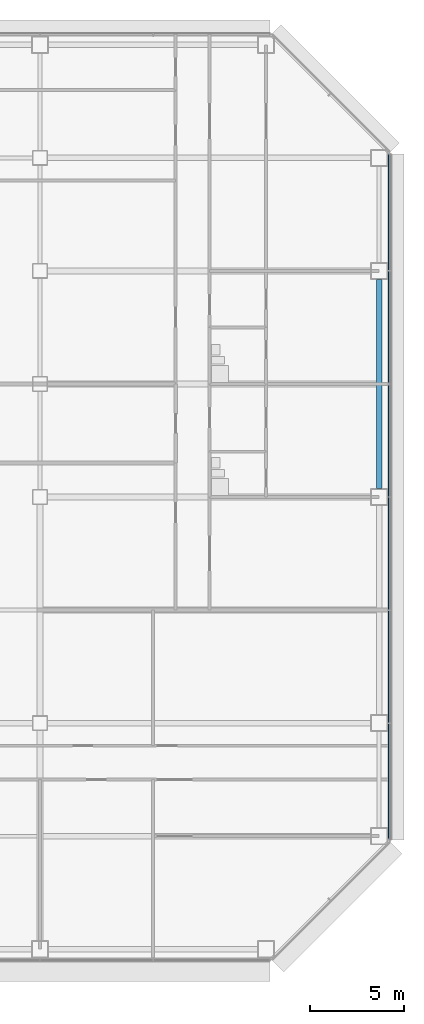
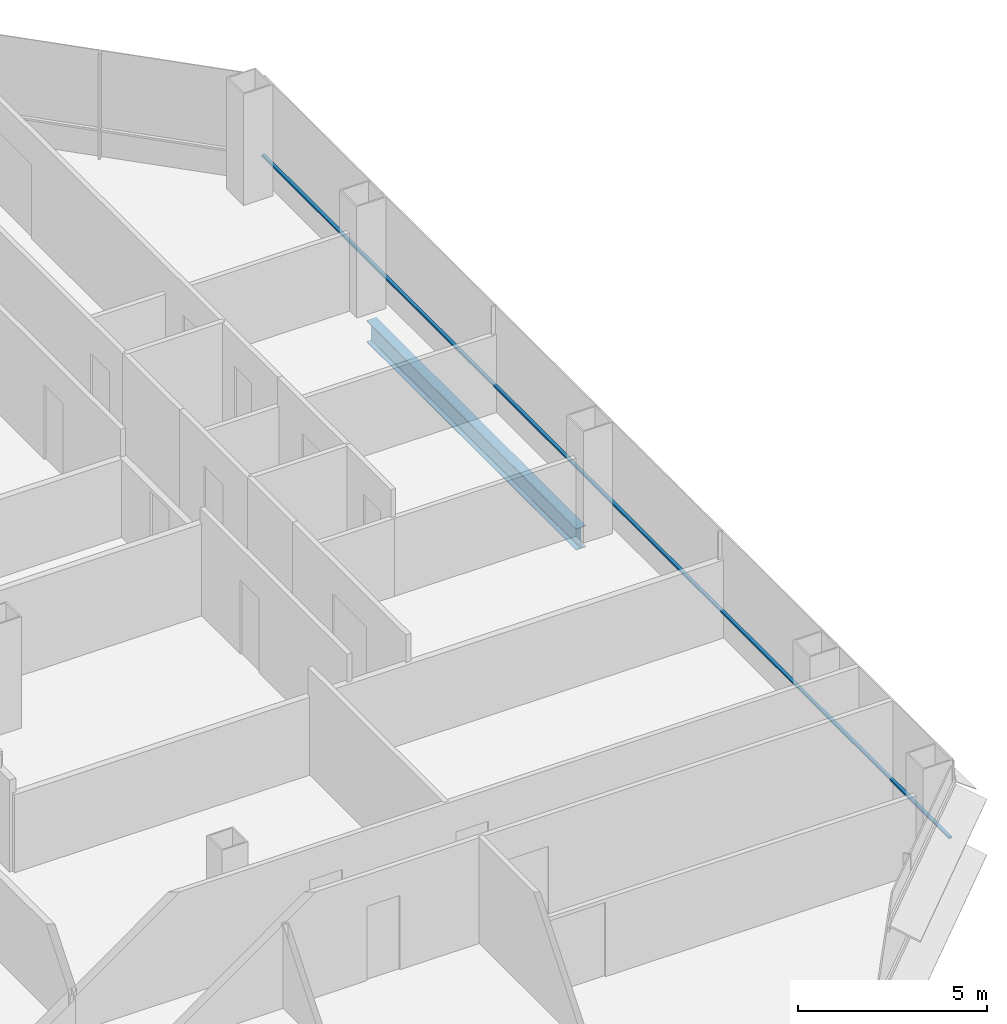
# One storey, part 17 of 26: 1 beam, 1 member, 1 element without a shape of its own.
"""IFC4 building model written with IfcOpenShell, lengths in metres."""

from ifc_helpers import new_model, si_unit, direction, frame, origin, origin_2d, place, context, subcontext, project, spatial, rectangle, i_section, extrude, material, material_profile, profile_set, type_object, element, aggregate, save


model = new_model("IFC4")

# Units and contexts
model_context = context("Model", 3, precision=1e-05, world=origin(), true_north=direction((0.0, 1.0)))
body_context = subcontext(model_context, "Body", "Model", "MODEL_VIEW")
ifc_project = project(units=[si_unit("LENGTHUNIT", "METRE"), si_unit("AREAUNIT", "SQUARE_METRE"), si_unit("VOLUMEUNIT", "CUBIC_METRE"), si_unit("PLANEANGLEUNIT", "RADIAN"), si_unit("MASSUNIT", "GRAM", prefix="KILO")], contexts=[model_context])

# Site, building, storey
site_placement = place(None, origin())
site = spatial("IfcSite", under=ifc_project, at=site_placement, CompositionType="ELEMENT")
building_placement = place(site_placement, origin())
building = spatial("IfcBuilding", under=site, at=building_placement, Name="Sorahane Residences", CompositionType="ELEMENT")
storey_placement = place(building_placement, frame((0.0, 0.0, 67.800048828125)))
storey = spatial("IfcBuildingStorey", under=building, at=storey_placement, Name="L13", CompositionType="ELEMENT", Elevation=67.800048828125)

# Curtain wall, member
ifc_material_1 = material(Name="Dark low-e glass and black anodised aluminium", Category="aluminium")
curtain_wall_type = type_object("IfcCurtainWallType", Name="Curtain wall CW-1 Typical unitised wall", PredefinedType="NOTDEFINED", material=ifc_material_1)
curtain_wall_placement = place(storey_placement, origin())
curtain_wall = element("IfcCurtainWall", 1, at=curtain_wall_placement, inside=storey, type_object=curtain_wall_type, Name="CW-1 curtain wall L13 E1", PredefinedType="NOTDEFINED")
ifc_material_2 = material(Name="Black anodised aluminium", Category="aluminium")
ifc_material_profile_1 = material_profile(ifc_material_2, rectangle(XDim=0.10009765625, YDim=0.06005859375, at=origin_2d()), Name="Curtain wall transom CW-1 black anodised aluminium 60x100")
ifc_profile_set_1 = profile_set([ifc_material_profile_1], Name="Black anodised aluminium")
member_type = type_object("IfcMemberType", Name="Curtain wall transom CW-1 black anodised aluminium 60x100", PredefinedType="USERDEFINED", material=ifc_profile_set_1)
member_placement = place(storey_placement, frame((66.530029296875, 5.801513671875, 0.89990234375), z_axis=(0.0, 1.0, 0.0), x_axis=(-1.0, 0.0, 0.0)))
member = element("IfcMember", 2, at=member_placement, type_object=member_type, Name="CW-1 transom L13 E1", ObjectType="TRANSOM", PredefinedType="USERDEFINED", context=body_context, shape_type="SweptSolid", body=[
    extrude(rectangle(XDim=0.10009765625, YDim=0.06005859375, at=origin_2d()), origin(), (0.0, 0.0, 1.0), 36.39697265625),
])
aggregate(curtain_wall, [member])

# Beam
ifc_material_3 = material(Name="Steel Q355B", Category="steel")
ifc_material_profile_2 = material_profile(ifc_material_3, i_section(OverallWidth=0.300048828125, OverallDepth=0.699951171875, WebThickness=0.012939453125, FlangeThickness=0.02392578125, FilletRadius=0.028076171875, at=origin_2d()), Name="HN 700x300x13x24")
ifc_profile_set_2 = profile_set([ifc_material_profile_2], Name="Steel Q355B")
beam_type = type_object("IfcBeamType", Name="Steel floor beam HN 700x300x13x24 Q355B", PredefinedType="BEAM", material=ifc_profile_set_2)
beam_placement = place(storey_placement, frame((66.0, 24.449951171875, -0.530029296875), z_axis=(0.0, 1.0, 0.0), x_axis=(-1.0, 0.0, 0.0)))
element("IfcBeam", 3, at=beam_placement, inside=storey, type_object=beam_type, Name="Beam L13 059", PredefinedType="BEAM", context=body_context, shape_type="SweptSolid", body=[
    extrude(i_section(OverallWidth=0.300048828125, OverallDepth=0.699951171875, WebThickness=0.012939453125, FlangeThickness=0.02392578125, FilletRadius=0.028076171875, at=origin_2d()), origin(), (0.0, 0.0, 1.0), 11.10009765625),
])

save(model, "model.ifc")
